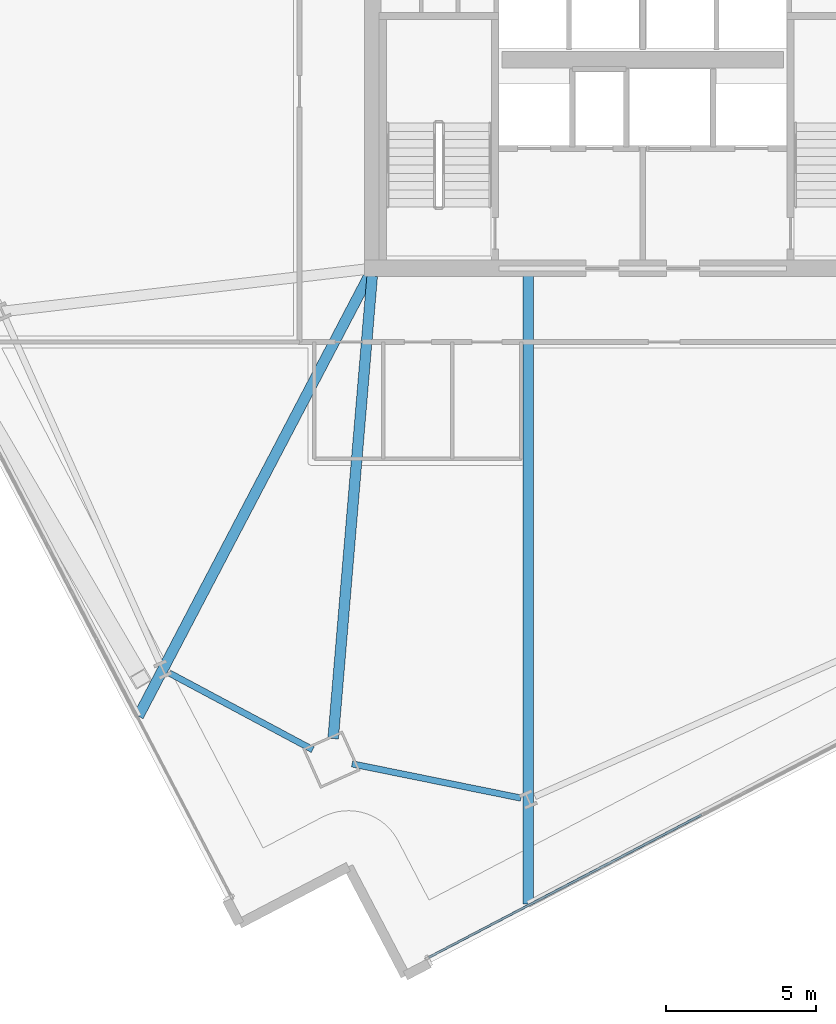
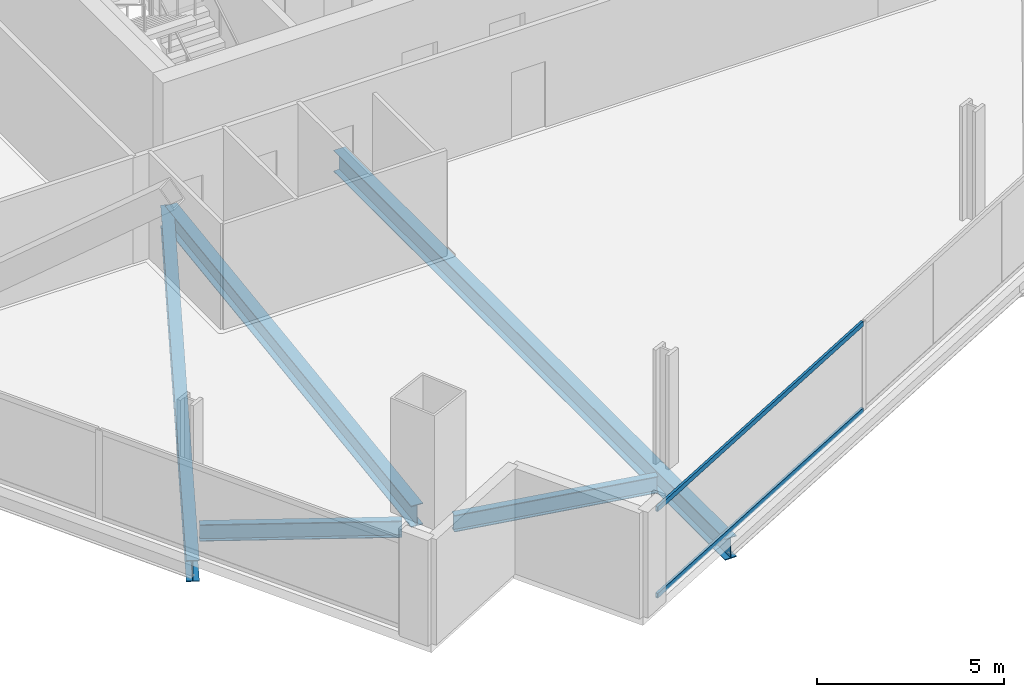
# One storey, part 4 of 33: 5 beams, 2 members, 1 element without a shape of its own.
"""IFC4 building model written with IfcOpenShell, lengths in metres."""

from ifc_helpers import new_model, si_unit, direction, frame, origin, origin_2d, place, context, subcontext, project, spatial, hollow_rectangle, i_section, extrude, material, material_profile, profile_set, type_object, element, aggregate, save


model = new_model("IFC4")

# Units and contexts
model_context = context("Model", 3, precision=1e-05, world=origin(), true_north=direction((0.0, 1.0)))
body_context = subcontext(model_context, "Body", "Model", "MODEL_VIEW")
ifc_project = project(units=[si_unit("LENGTHUNIT", "METRE"), si_unit("AREAUNIT", "SQUARE_METRE"), si_unit("VOLUMEUNIT", "CUBIC_METRE"), si_unit("PLANEANGLEUNIT", "RADIAN"), si_unit("MASSUNIT", "GRAM", prefix="KILO")], contexts=[model_context])

# Site, building, storey
site_placement = place(None, origin())
site = spatial("IfcSite", under=ifc_project, at=site_placement, CompositionType="ELEMENT")
building_placement = place(site_placement, origin())
building = spatial("IfcBuilding", under=site, at=building_placement, Name="Haldenkirk Collegiate Tower", CompositionType="ELEMENT")
storey_placement = place(building_placement, frame((0.0, 0.0, 120.449951171875)))
storey = spatial("IfcBuildingStorey", under=building, at=storey_placement, Name="L29", CompositionType="ELEMENT", Elevation=120.449951171875)

# Beams
ifc_material_1 = material(Name="Steel ASTM A992 Grade 50", Category="steel")
ifc_material_profile_1 = material_profile(ifc_material_1, i_section(OverallWidth=0.35498046875, OverallDepth=0.696044921875, WebThickness=0.015380859375, FlangeThickness=0.02490234375, at=origin_2d()), Name="W27X146")
ifc_profile_set_1 = profile_set([ifc_material_profile_1], Name="Steel ASTM A992 Grade 50")
beam_type_1 = type_object("IfcBeamType", Name="BM-GIRDER-W27X146", PredefinedType="BEAM", material=ifc_profile_set_1)
beam_1_placement = place(storey_placement, frame((25.67578125, 2.3203125, -0.64794921875), z_axis=(0.084153524607, 0.996452800837, 0.0), x_axis=(-0.996452800837, 0.084153524607, 0.0)))
element("IfcBeam", 1, at=beam_1_placement, inside=storey, type_object=beam_type_1, Name="L29 primary floor girder 01", PredefinedType="BEAM", context=body_context, shape_type="SweptSolid", body=[
    extrude(i_section(OverallWidth=0.35498046875, OverallDepth=0.696044921875, WebThickness=0.015380859375, FlangeThickness=0.02490234375, at=origin_2d()), origin(), (0.0, 0.0, 1.0), 15.48046875),
])
beam_2_placement = place(storey_placement, frame((32.181396484375, -3.196533203125, -0.64794921875), z_axis=(0.0, 1.0, 0.0), x_axis=(-1.0, 0.0, 0.0)))
element("IfcBeam", 2, at=beam_2_placement, inside=storey, type_object=beam_type_1, Name="L29 primary floor girder 05", PredefinedType="BEAM", context=body_context, shape_type="SweptSolid", body=[
    extrude(i_section(OverallWidth=0.35498046875, OverallDepth=0.696044921875, WebThickness=0.015380859375, FlangeThickness=0.02490234375, at=origin_2d()), origin(), (0.0, 0.0, 1.0), 20.941650390625),
])
beam_3_placement = place(storey_placement, frame((19.181396484375, 3.065673828125, -0.64794921875), z_axis=(0.46380587042, 0.885936856985, 0.0), x_axis=(-0.885936856985, 0.46380587042, 0.0)))
element("IfcBeam", 3, at=beam_3_placement, inside=storey, type_object=beam_type_1, Name="L29 primary floor girder 16", PredefinedType="BEAM", context=body_context, shape_type="SweptSolid", body=[
    extrude(i_section(OverallWidth=0.35498046875, OverallDepth=0.696044921875, WebThickness=0.015380859375, FlangeThickness=0.02490234375, at=origin_2d()), origin(), (0.0, 0.0, 1.0), 16.602294921875),
])
ifc_material_profile_2 = material_profile(ifc_material_1, i_section(OverallWidth=0.2119140625, OverallDepth=0.5439453125, WebThickness=0.01318359375, FlangeThickness=0.021240234375, at=origin_2d()), Name="W21X83")
ifc_profile_set_2 = profile_set([ifc_material_profile_2], Name="Steel ASTM A992 Grade 50")
beam_type_2 = type_object("IfcBeamType", Name="BM-SPANDREL-W21X83", PredefinedType="SPANDREL", material=ifc_profile_set_2)
beam_4_placement = place(storey_placement, frame((26.3076171875, 1.477783203125, -0.572021484375), z_axis=(0.980077587146, -0.19861501246, 0.0), x_axis=(0.19861501246, 0.980077587146, 0.0)))
element("IfcBeam", 4, at=beam_4_placement, inside=storey, type_object=beam_type_2, Name="L29 perimeter spandrel beam 01", PredefinedType="SPANDREL", context=body_context, shape_type="SweptSolid", body=[
    extrude(i_section(OverallWidth=0.2119140625, OverallDepth=0.5439453125, WebThickness=0.01318359375, FlangeThickness=0.021240234375, at=origin_2d()), origin(), (0.0, 0.0, 1.0), 5.747802734375),
])
beam_5_placement = place(storey_placement, frame((20.21240234375, 4.505615234375, -0.572021484375), z_axis=(0.881987493029, -0.471272810737, 0.0), x_axis=(0.471272810737, 0.881987493029, 0.0)))
element("IfcBeam", 5, at=beam_5_placement, inside=storey, type_object=beam_type_2, Name="L29 perimeter spandrel beam 16", PredefinedType="SPANDREL", context=body_context, shape_type="SweptSolid", body=[
    extrude(i_section(OverallWidth=0.2119140625, OverallDepth=0.5439453125, WebThickness=0.01318359375, FlangeThickness=0.021240234375, at=origin_2d()), origin(), (0.0, 0.0, 1.0), 5.42236328125),
])

# Curtain wall, members
ifc_material_2 = material(Name="Anodised architectural bronze aluminium", Category="aluminium")
curtain_wall_type = type_object("IfcCurtainWallType", Name="CW-SYS2-CONCAVE", PredefinedType="USERDEFINED", material=ifc_material_2)
curtain_wall_placement = place(storey_placement, origin())
curtain_wall = element("IfcCurtainWall", 6, at=curtain_wall_placement, inside=storey, type_object=curtain_wall_type, Name="L29 South concave recessed bronze-anodised curtain wall", ObjectType="UNITISED CURTAIN WALL", PredefinedType="USERDEFINED")
ifc_material_profile_3 = material_profile(ifc_material_2, hollow_rectangle(XDim=0.074951171875, YDim=0.159912109375, WallThickness=0.0048828125, at=origin_2d()), Name="CW-TRN-02")
ifc_profile_set_3 = profile_set([ifc_material_profile_3], Name="Anodised architectural bronze aluminium")
member_type = type_object("IfcMemberType", Name="CW-TRN-02", PredefinedType="USERDEFINED", material=ifc_profile_set_3)
member_1_placement = place(storey_placement, frame((37.958740234375, -0.221435546875, 0.03759765625), z_axis=(-0.886202357985, -0.463298371141, 0.0), x_axis=(0.463298371141, -0.886202357985, 0.0)))
member_1 = element("IfcMember", 7, at=member_1_placement, type_object=member_type, Name="CW-02 transom 4.1", ObjectType="TRANSOM", PredefinedType="USERDEFINED", context=body_context, shape_type="SweptSolid", body=[
    extrude(hollow_rectangle(XDim=0.074951171875, YDim=0.159912109375, WallThickness=0.0048828125, at=origin_2d()), origin(), (0.0, 0.0, 1.0), 10.2626953125),
])
member_2_placement = place(storey_placement, frame((37.958740234375, -0.221435546875, 2.863525390625), z_axis=(-0.886202357985, -0.463298371141, 0.0), x_axis=(0.463298371141, -0.886202357985, 0.0)))
member_2 = element("IfcMember", 8, at=member_2_placement, type_object=member_type, Name="CW-02 transom 4.2", ObjectType="TRANSOM", PredefinedType="USERDEFINED", context=body_context, shape_type="SweptSolid", body=[
    extrude(hollow_rectangle(XDim=0.074951171875, YDim=0.159912109375, WallThickness=0.0048828125, at=origin_2d()), origin(), (0.0, 0.0, 1.0), 10.2626953125),
])
aggregate(curtain_wall, [member_1, member_2])

save(model, "model.ifc")
